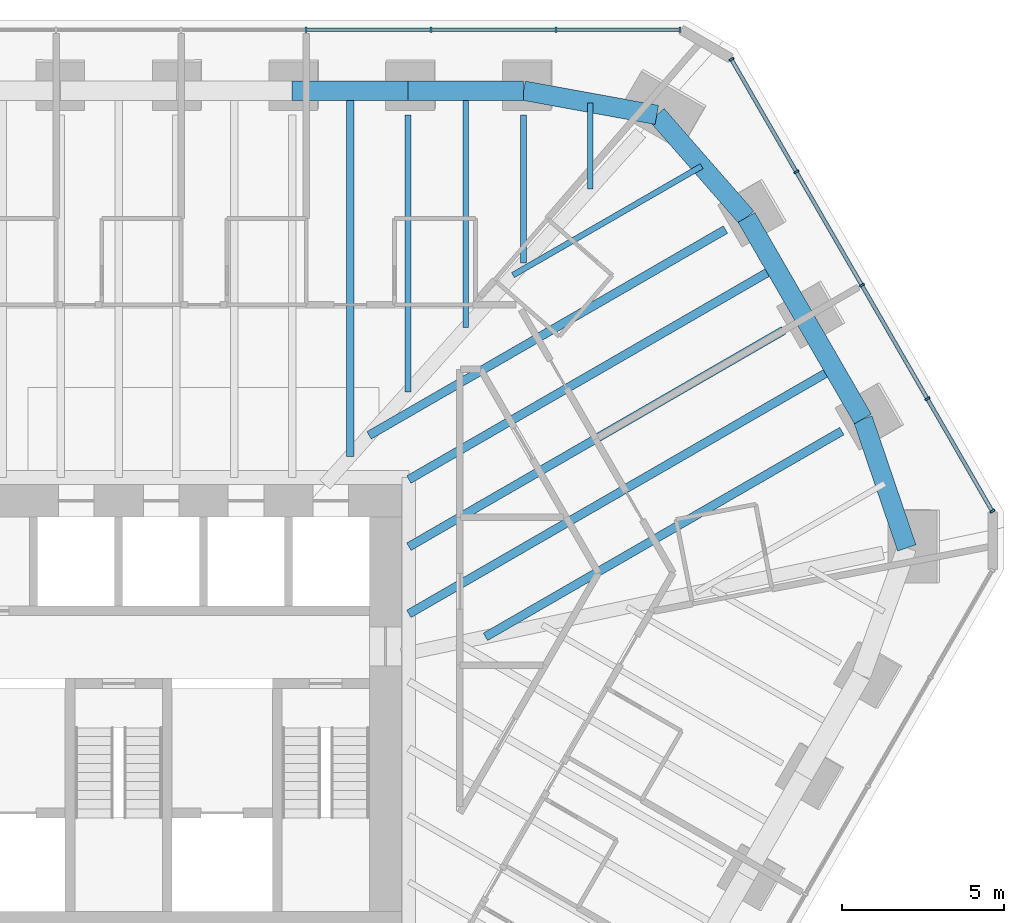
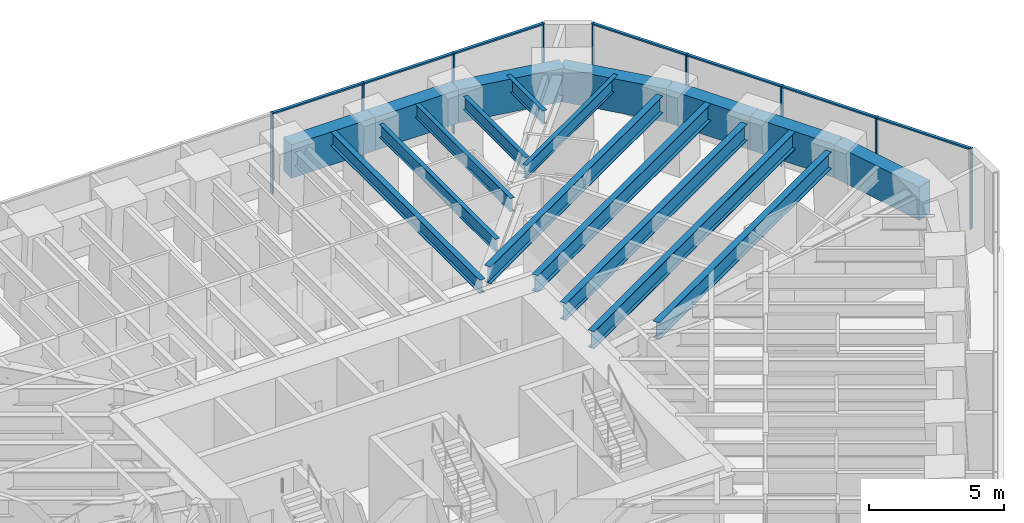
# One storey, part 9 of 17: 18 beams, 16 members, 2 elements without a shape of their own.
"""IFC4 building model written with IfcOpenShell, lengths in metres."""

from ifc_helpers import new_model, si_unit, direction, frame, origin, origin_2d, place, context, subcontext, project, spatial, rectangle, i_section, extrude, material, material_profile, profile_set, type_object, element, aggregate, save


model = new_model("IFC4")

# Units and contexts
model_context = context("Model", 3, precision=1e-05, world=origin(), true_north=direction((0.0, 1.0)))
body_context = subcontext(model_context, "Body", "Model", "MODEL_VIEW")
ifc_project = project(units=[si_unit("LENGTHUNIT", "METRE"), si_unit("AREAUNIT", "SQUARE_METRE"), si_unit("VOLUMEUNIT", "CUBIC_METRE"), si_unit("PLANEANGLEUNIT", "RADIAN"), si_unit("MASSUNIT", "GRAM", prefix="KILO")], contexts=[model_context])

# Site, building, storey
site_placement = place(None, origin())
site = spatial("IfcSite", under=ifc_project, at=site_placement, CompositionType="ELEMENT")
building_placement = place(site_placement, origin())
building = spatial("IfcBuilding", under=site, at=building_placement, Name="Sandreach Pilgrim Tower", CompositionType="ELEMENT")
storey_placement = place(building_placement, frame((0.0, 0.0, 240.199951171875)))
storey = spatial("IfcBuildingStorey", under=building, at=storey_placement, Name="L60", CompositionType="ELEMENT", Elevation=240.199951171875)

# Curtain wall, members
ifc_material_1 = material(Name="Aluminium framed curtain wall", Category="aluminium")
curtain_wall_type = type_object("IfcCurtainWallType", Name="Upper hotel tower curtain wall", PredefinedType="NOTDEFINED", material=ifc_material_1)
curtain_wall_1_placement = place(storey_placement, origin())
curtain_wall_1 = element("IfcCurtainWall", 1, at=curtain_wall_1_placement, inside=storey, type_object=curtain_wall_type, Name="CW-3 L60 N", PredefinedType="NOTDEFINED")
ifc_material_2 = material(Name="Aluminium extrusion", Category="aluminium")
ifc_material_profile_1 = material_profile(ifc_material_2, rectangle(XDim=0.06494140625, YDim=0.159912109375, at=origin_2d()), Name="CW-3M 65X160")
ifc_profile_set_1 = profile_set([ifc_material_profile_1], Name="Aluminium extrusion")
member_type_1 = type_object("IfcMemberType", Name="CW-3 mullion", PredefinedType="MULLION", material=ifc_profile_set_1)
member_1_placement = place(storey_placement, frame((5.796630859375, 21.16015625, 0.0), z_axis=(0.0, 0.0, 1.0), x_axis=(1.0, 0.0, 0.0)))
member_1 = element("IfcMember", 2, at=member_1_placement, type_object=member_type_1, Name="CW-3 mullion 7", PredefinedType="MULLION", context=body_context, shape_type="SweptSolid", body=[
    extrude(rectangle(XDim=0.06494140625, YDim=0.159912109375, at=origin_2d()), origin(), (0.0, 0.0, 1.0), 3.64013671875),
])
member_2_placement = place(storey_placement, frame((9.6611328125, 21.16015625, 0.0), z_axis=(0.0, 0.0, 1.0), x_axis=(1.0, 0.0, 0.0)))
member_2 = element("IfcMember", 3, at=member_2_placement, type_object=member_type_1, Name="CW-3 mullion 8", PredefinedType="MULLION", context=body_context, shape_type="SweptSolid", body=[
    extrude(rectangle(XDim=0.06494140625, YDim=0.159912109375, at=origin_2d()), origin(), (0.0, 0.0, 1.0), 3.64013671875),
])
member_3_placement = place(storey_placement, frame((13.525390625, 21.16015625, 0.0), z_axis=(0.0, 0.0, 1.0), x_axis=(1.0, 0.0, 0.0)))
member_3 = element("IfcMember", 4, at=member_3_placement, type_object=member_type_1, Name="CW-3 mullion 9", PredefinedType="MULLION", context=body_context, shape_type="SweptSolid", body=[
    extrude(rectangle(XDim=0.06494140625, YDim=0.159912109375, at=origin_2d()), origin(), (0.0, 0.0, 1.0), 3.64013671875),
])
member_4_placement = place(storey_placement, frame((17.357421875, 21.16015625, 0.0), z_axis=(0.0, 0.0, 1.0), x_axis=(1.0, 0.0, 0.0)))
member_4 = element("IfcMember", 5, at=member_4_placement, type_object=member_type_1, Name="CW-3 mullion 10", PredefinedType="MULLION", context=body_context, shape_type="SweptSolid", body=[
    extrude(rectangle(XDim=0.06494140625, YDim=0.159912109375, at=origin_2d()), origin(), (0.0, 0.0, 1.0), 3.64013671875),
])

curtain_wall_2_placement = place(storey_placement, origin())
curtain_wall_2 = element("IfcCurtainWall", 6, at=curtain_wall_2_placement, inside=storey, type_object=curtain_wall_type, Name="CW-3 L60 NE", PredefinedType="NOTDEFINED")
member_5_placement = place(storey_placement, frame((18.93896484375, 20.2470703125, 0.0), z_axis=(0.0, 0.0, 1.0), x_axis=(0.5, -0.866025403784, 0.0)))
member_5 = element("IfcMember", 7, at=member_5_placement, type_object=member_type_1, Name="CW-3 mullion 1", PredefinedType="MULLION", context=body_context, shape_type="SweptSolid", body=[
    extrude(rectangle(XDim=0.06494140625, YDim=0.159912109375, at=origin_2d()), origin(), (0.0, 0.0, 1.0), 3.64013671875),
])
member_6_placement = place(storey_placement, frame((20.947021484375, 16.768798828125, 0.0), z_axis=(0.0, 0.0, 1.0), x_axis=(0.5, -0.866025403784, 0.0)))
member_6 = element("IfcMember", 8, at=member_6_placement, type_object=member_type_1, Name="CW-3 mullion 2", PredefinedType="MULLION", context=body_context, shape_type="SweptSolid", body=[
    extrude(rectangle(XDim=0.06494140625, YDim=0.159912109375, at=origin_2d()), origin(), (0.0, 0.0, 1.0), 3.64013671875),
])
member_7_placement = place(storey_placement, frame((22.971435546875, 13.262451171875, 0.0), z_axis=(0.0, 0.0, 1.0), x_axis=(0.5, -0.866025403784, 0.0)))
member_7 = element("IfcMember", 9, at=member_7_placement, type_object=member_type_1, Name="CW-3 mullion 3", PredefinedType="MULLION", context=body_context, shape_type="SweptSolid", body=[
    extrude(rectangle(XDim=0.06494140625, YDim=0.159912109375, at=origin_2d()), origin(), (0.0, 0.0, 1.0), 3.64013671875),
])
member_8_placement = place(storey_placement, frame((24.995849609375, 9.75634765625, 0.0), z_axis=(0.0, 0.0, 1.0), x_axis=(0.5, -0.866025403784, 0.0)))
member_8 = element("IfcMember", 10, at=member_8_placement, type_object=member_type_1, Name="CW-3 mullion 4", PredefinedType="MULLION", context=body_context, shape_type="SweptSolid", body=[
    extrude(rectangle(XDim=0.06494140625, YDim=0.159912109375, at=origin_2d()), origin(), (0.0, 0.0, 1.0), 3.64013671875),
])
member_9_placement = place(storey_placement, frame((27.00390625, 6.278076171875, 0.0), z_axis=(0.0, 0.0, 1.0), x_axis=(0.5, -0.866025403784, 0.0)))
member_9 = element("IfcMember", 11, at=member_9_placement, type_object=member_type_1, Name="CW-3 mullion 5", PredefinedType="MULLION", context=body_context, shape_type="SweptSolid", body=[
    extrude(rectangle(XDim=0.06494140625, YDim=0.159912109375, at=origin_2d()), origin(), (0.0, 0.0, 1.0), 3.64013671875),
])

# Member
ifc_material_3 = material(Name="Aluminium extrusion", Category="aluminium")
ifc_material_profile_2 = material_profile(ifc_material_3, rectangle(XDim=0.1201171875, YDim=0.070068359375, at=origin_2d()), Name="CW-3T 120X70")
ifc_profile_set_2 = profile_set([ifc_material_profile_2], Name="Aluminium extrusion")
member_type_2 = type_object("IfcMemberType", Name="CW-3 transom", PredefinedType="USERDEFINED", material=ifc_profile_set_2)
member_10_placement = place(storey_placement, frame((5.8291015625, 21.16015625, 3.60498046875), z_axis=(1.0, 0.0, 0.0), x_axis=(0.0, 1.0, 0.0)))
member_10 = element("IfcMember", 12, at=member_10_placement, type_object=member_type_2, Name="CW-3 head transom 7", ObjectType="TRANSOM", PredefinedType="USERDEFINED", context=body_context, shape_type="SweptSolid", body=[
    extrude(rectangle(XDim=0.1201171875, YDim=0.070068359375, at=origin_2d()), origin(), (0.0, 0.0, 1.0), 3.799560546875),
])

member_11_placement = place(storey_placement, frame((9.693603515625, 21.16015625, 3.60498046875), z_axis=(1.0, 0.0, 0.0), x_axis=(0.0, 1.0, 0.0)))
member_11 = element("IfcMember", 13, at=member_11_placement, type_object=member_type_2, Name="CW-3 head transom 8", ObjectType="TRANSOM", PredefinedType="USERDEFINED", context=body_context, shape_type="SweptSolid", body=[
    extrude(rectangle(XDim=0.1201171875, YDim=0.070068359375, at=origin_2d()), origin(), (0.0, 0.0, 1.0), 3.79931640625),
])

member_12_placement = place(storey_placement, frame((13.557861328125, 21.16015625, 3.60498046875), z_axis=(1.0, 0.0, 0.0), x_axis=(0.0, 1.0, 0.0)))
member_12 = element("IfcMember", 14, at=member_12_placement, type_object=member_type_2, Name="CW-3 head transom 9", ObjectType="TRANSOM", PredefinedType="USERDEFINED", context=body_context, shape_type="SweptSolid", body=[
    extrude(rectangle(XDim=0.1201171875, YDim=0.070068359375, at=origin_2d()), origin(), (0.0, 0.0, 1.0), 3.76708984375),
])

aggregate(curtain_wall_1, [member_1, member_2, member_3, member_4, member_10, member_11, member_12])

member_13_placement = place(storey_placement, frame((18.955322265625, 20.21875, 3.60498046875), z_axis=(0.499993448556, -0.866029186229, 0.0), x_axis=(0.866029186229, 0.499993448556, 0.0)))
member_13 = element("IfcMember", 15, at=member_13_placement, type_object=member_type_2, Name="CW-3 head transom 1", ObjectType="TRANSOM", PredefinedType="USERDEFINED", context=body_context, shape_type="SweptSolid", body=[
    extrude(rectangle(XDim=0.1201171875, YDim=0.070068359375, at=origin_2d()), origin(), (0.0, 0.0, 1.0), 3.951171875),
])

member_14_placement = place(storey_placement, frame((20.96337890625, 16.74072265625, 3.60498046875), z_axis=(0.499975332564, -0.866039645067, 0.0), x_axis=(0.866039645067, 0.499975332564, 0.0)))
member_14 = element("IfcMember", 16, at=member_14_placement, type_object=member_type_2, Name="CW-3 head transom 2", ObjectType="TRANSOM", PredefinedType="USERDEFINED", context=body_context, shape_type="SweptSolid", body=[
    extrude(rectangle(XDim=0.1201171875, YDim=0.070068359375, at=origin_2d()), origin(), (0.0, 0.0, 1.0), 3.983642578125),
])

member_15_placement = place(storey_placement, frame((22.98779296875, 13.234375, 3.60498046875), z_axis=(0.499975332564, -0.866039645067, 0.0), x_axis=(0.866039645067, 0.499975332564, 0.0)))
member_15 = element("IfcMember", 17, at=member_15_placement, type_object=member_type_2, Name="CW-3 head transom 3", ObjectType="TRANSOM", PredefinedType="USERDEFINED", context=body_context, shape_type="SweptSolid", body=[
    extrude(rectangle(XDim=0.1201171875, YDim=0.070068359375, at=origin_2d()), origin(), (0.0, 0.0, 1.0), 3.983642578125),
])

member_16_placement = place(storey_placement, frame((25.011962890625, 9.728271484375, 3.60498046875), z_axis=(0.499993448556, -0.866029186229, 0.0), x_axis=(0.866029186229, 0.499993448556, 0.0)))
member_16 = element("IfcMember", 18, at=member_16_placement, type_object=member_type_2, Name="CW-3 head transom 4", ObjectType="TRANSOM", PredefinedType="USERDEFINED", context=body_context, shape_type="SweptSolid", body=[
    extrude(rectangle(XDim=0.1201171875, YDim=0.070068359375, at=origin_2d()), origin(), (0.0, 0.0, 1.0), 3.951171875),
])

aggregate(curtain_wall_2, [member_5, member_6, member_7, member_8, member_9, member_13, member_14, member_15, member_16])

# Beams
ifc_material_4 = material(Name="Steel ASTM A992 Grade 50", Category="steel")
ifc_material_profile_3 = material_profile(ifc_material_4, i_section(OverallWidth=0.1787109375, OverallDepth=0.60205078125, WebThickness=0.010986328125, FlangeThickness=0.014892578125, at=origin_2d()), Name="W24X62")
ifc_profile_set_3 = profile_set([ifc_material_profile_3], Name="Steel ASTM A992 Grade 50")
beam_type_1 = type_object("IfcBeamType", Name="Floor beam W24X62", PredefinedType="BEAM", material=ifc_profile_set_3)
beam_1_placement = place(storey_placement, frame((8.942138671875, 18.527099609375, 3.339111328125), z_axis=(0.0, -1.0, 0.0), x_axis=(1.0, 0.0, 0.0)))
element("IfcBeam", 19, at=beam_1_placement, inside=storey, type_object=beam_type_1, Name="BM L60 F07", PredefinedType="BEAM", context=body_context, shape_type="SweptSolid", body=[
    extrude(i_section(OverallWidth=0.1787109375, OverallDepth=0.60205078125, WebThickness=0.010986328125, FlangeThickness=0.014892578125, at=origin_2d()), origin(), (0.0, 0.0, 1.0), 8.568603515625),
])
beam_2_placement = place(storey_placement, frame((12.51904296875, 18.527099609375, 3.339111328125), z_axis=(0.0, -1.0, 0.0), x_axis=(1.0, 0.0, 0.0)))
element("IfcBeam", 20, at=beam_2_placement, inside=storey, type_object=beam_type_1, Name="BM L60 F08", PredefinedType="BEAM", context=body_context, shape_type="SweptSolid", body=[
    extrude(i_section(OverallWidth=0.1787109375, OverallDepth=0.60205078125, WebThickness=0.010986328125, FlangeThickness=0.014892578125, at=origin_2d()), origin(), (0.0, 0.0, 1.0), 4.585205078125),
])
beam_3_placement = place(storey_placement, frame((10.730712890625, 19.277099609375, 3.339111328125), z_axis=(0.0, -1.0, 0.0), x_axis=(1.0, 0.0, 0.0)))
element("IfcBeam", 21, at=beam_3_placement, inside=storey, type_object=beam_type_1, Name="BM L60 FM07", PredefinedType="BEAM", context=body_context, shape_type="SweptSolid", body=[
    extrude(i_section(OverallWidth=0.1787109375, OverallDepth=0.60205078125, WebThickness=0.010986328125, FlangeThickness=0.014892578125, at=origin_2d()), origin(), (0.0, 0.0, 1.0), 7.326904296875),
])
beam_4_placement = place(storey_placement, frame((14.5771484375, 18.901611328125, 3.339111328125), z_axis=(0.0, -1.0, 0.0), x_axis=(1.0, 0.0, 0.0)))
element("IfcBeam", 22, at=beam_4_placement, inside=storey, type_object=beam_type_1, Name="BM L60 FM08", PredefinedType="BEAM", context=body_context, shape_type="SweptSolid", body=[
    extrude(i_section(OverallWidth=0.1787109375, OverallDepth=0.60205078125, WebThickness=0.010986328125, FlangeThickness=0.014892578125, at=origin_2d()), origin(), (0.0, 0.0, 1.0), 2.66748046875),
])
beam_5_placement = place(storey_placement, frame((18.021484375, 16.94189453125, 3.339111328125), z_axis=(-0.866008104495, -0.500029962051, 0.0), x_axis=(0.500029962051, -0.866008104495, 0.0)))
element("IfcBeam", 23, at=beam_5_placement, inside=storey, type_object=beam_type_1, Name="BM L60 FM09", PredefinedType="BEAM", context=body_context, shape_type="SweptSolid", body=[
    extrude(i_section(OverallWidth=0.1787109375, OverallDepth=0.60205078125, WebThickness=0.010986328125, FlangeThickness=0.014892578125, at=origin_2d()), origin(), (0.0, 0.0, 1.0), 6.73486328125),
])
ifc_material_5 = material(Name="Steel ASTM A992 Grade 50", Category="steel")
ifc_material_profile_4 = material_profile(ifc_material_5, i_section(OverallWidth=0.23046875, OverallDepth=0.6171875, WebThickness=0.01318359375, FlangeThickness=0.022216796875, at=origin_2d()), Name="W24X94")
ifc_profile_set_4 = profile_set([ifc_material_profile_4], Name="Steel ASTM A992 Grade 50")
beam_type_2 = type_object("IfcBeamType", Name="Floor beam W24X94", PredefinedType="BEAM", material=ifc_profile_set_4)
beam_6_placement = place(storey_placement, frame((7.15380859375, 19.277099609375, 3.33154296875), z_axis=(0.0, -1.0, 0.0), x_axis=(1.0, 0.0, 0.0)))
element("IfcBeam", 24, at=beam_6_placement, inside=storey, type_object=beam_type_2, Name="BM L60 FM06", PredefinedType="BEAM", context=body_context, shape_type="SweptSolid", body=[
    extrude(i_section(OverallWidth=0.23046875, OverallDepth=0.6171875, WebThickness=0.01318359375, FlangeThickness=0.022216796875, at=origin_2d()), origin(), (0.0, 0.0, 1.0), 11.310302734375),
])
ifc_material_6 = material(Name="Steel ASTM A992 Grade 50", Category="steel")
ifc_material_profile_5 = material_profile(ifc_material_6, i_section(OverallWidth=0.2666015625, OverallDepth=0.761962890625, WebThickness=0.014404296875, FlangeThickness=0.021484375, at=origin_2d()), Name="W30X116")
ifc_profile_set_5 = profile_set([ifc_material_profile_5], Name="Steel ASTM A992 Grade 50")
beam_type_3 = type_object("IfcBeamType", Name="Floor beam W30X116", PredefinedType="BEAM", material=ifc_profile_set_5)
beam_7_placement = place(storey_placement, frame((18.75830078125, 14.982421875, 3.259033203125), z_axis=(-0.866022258038, -0.500005448553, 0.0), x_axis=(0.500005448553, -0.866022258038, 0.0)))
element("IfcBeam", 25, at=beam_7_placement, inside=storey, type_object=beam_type_3, Name="BM L60 F10", PredefinedType="BEAM", context=body_context, shape_type="SweptSolid", body=[
    extrude(i_section(OverallWidth=0.2666015625, OverallDepth=0.761962890625, WebThickness=0.014404296875, FlangeThickness=0.021484375, at=origin_2d()), origin(), (0.0, 0.0, 1.0), 12.719970703125),
])
beam_8_placement = place(storey_placement, frame((20.55615234375, 11.8681640625, 3.259033203125), z_axis=(-0.866018413782, -0.500012106844, 0.0), x_axis=(0.500012106844, -0.866018413782, 0.0)))
element("IfcBeam", 26, at=beam_8_placement, inside=storey, type_object=beam_type_3, Name="BM L60 F11", PredefinedType="BEAM", context=body_context, shape_type="SweptSolid", body=[
    extrude(i_section(OverallWidth=0.2666015625, OverallDepth=0.761962890625, WebThickness=0.014404296875, FlangeThickness=0.021484375, at=origin_2d()), origin(), (0.0, 0.0, 1.0), 13.376220703125),
])
beam_9_placement = place(storey_placement, frame((22.354248046875, 8.75390625, 3.259033203125), z_axis=(-0.866022258038, -0.500005448553, 0.0), x_axis=(0.500005448553, -0.866022258038, 0.0)))
element("IfcBeam", 27, at=beam_9_placement, inside=storey, type_object=beam_type_3, Name="BM L60 F12", PredefinedType="BEAM", context=body_context, shape_type="SweptSolid", body=[
    extrude(i_section(OverallWidth=0.2666015625, OverallDepth=0.761962890625, WebThickness=0.014404296875, FlangeThickness=0.021484375, at=origin_2d()), origin(), (0.0, 0.0, 1.0), 12.719970703125),
])
beam_10_placement = place(storey_placement, frame((20.306640625, 13.80029296875, 3.259033203125), z_axis=(-0.866017840081, -0.50001310049, 0.0), x_axis=(0.50001310049, -0.866017840081, 0.0)))
element("IfcBeam", 28, at=beam_10_placement, inside=storey, type_object=beam_type_3, Name="BM L60 FM10", PredefinedType="BEAM", context=body_context, shape_type="SweptSolid", body=[
    extrude(i_section(OverallWidth=0.2666015625, OverallDepth=0.761962890625, WebThickness=0.014404296875, FlangeThickness=0.021484375, at=origin_2d()), origin(), (0.0, 0.0, 1.0), 13.088134765625),
])
ifc_material_7 = material(Name="Steel ASTM A992 Grade 50", Category="steel")
ifc_material_profile_6 = material_profile(ifc_material_7, i_section(OverallWidth=0.2666015625, OverallDepth=0.77978515625, WebThickness=0.0166015625, FlangeThickness=0.030029296875, at=origin_2d()), Name="W30X148")
ifc_profile_set_6 = profile_set([ifc_material_profile_6], Name="Steel ASTM A992 Grade 50")
beam_type_4 = type_object("IfcBeamType", Name="Floor beam W30X148", PredefinedType="BEAM", material=ifc_profile_set_6)
beam_11_placement = place(storey_placement, frame((22.104736328125, 10.68603515625, 3.250244140625), z_axis=(-0.866020163556, -0.500009076232, 0.0), x_axis=(0.500009076232, -0.866020163556, 0.0)))
element("IfcBeam", 29, at=beam_11_placement, inside=storey, type_object=beam_type_4, Name="BM L60 FM11", PredefinedType="BEAM", context=body_context, shape_type="SweptSolid", body=[
    extrude(i_section(OverallWidth=0.2666015625, OverallDepth=0.77978515625, WebThickness=0.0166015625, FlangeThickness=0.030029296875, at=origin_2d()), origin(), (0.0, 0.0, 1.0), 15.164306640625),
])
ifc_material_8 = material(Name="Concrete 10000 psi", Category="concrete")
ifc_material_profile_7 = material_profile(ifc_material_8, rectangle(XDim=0.60009765625, YDim=1.5, at=origin_2d()), Name="RC600X1500")
ifc_profile_set_7 = profile_set([ifc_material_profile_7], Name="Concrete 10000 psi")
beam_type_5 = type_object("IfcBeamType", Name="Spandrel beam RC600X1500", PredefinedType="SPANDREL", material=ifc_profile_set_7)
for number, where, z_axis, x_axis, name in (
    (30, (5.365234375, 19.277099609375, 2.89013671875), (1.0, 0.0, 0.0), (0.0, 1.0, 0.0), "BM L60 SP06"),
    (31, (8.942138671875, 19.277099609375, 2.89013671875), (1.0, 0.0, 0.0), (0.0, 1.0, 0.0), "BM L60 SP07"),
):
    element("IfcBeam", number, at=place(storey_placement, frame(where, z_axis=z_axis, x_axis=x_axis)), inside=storey, type_object=beam_type_5, Name=name, PredefinedType="SPANDREL", context=body_context, shape_type="SweptSolid", body=[
        extrude(rectangle(XDim=0.60009765625, YDim=1.5, at=origin_2d()), origin(), (0.0, 0.0, 1.0), 3.576904296875),
    ])
beam_12_placement = place(storey_placement, frame((12.51904296875, 19.277099609375, 2.89013671875), z_axis=(0.983773613592, -0.17941426142, 0.0), x_axis=(0.17941426142, 0.983773613592, 0.0)))
element("IfcBeam", 32, at=beam_12_placement, inside=storey, type_object=beam_type_5, Name="BM L60 SP08", PredefinedType="SPANDREL", context=body_context, shape_type="SweptSolid", body=[
    extrude(rectangle(XDim=0.60009765625, YDim=1.5, at=origin_2d()), origin(), (0.0, 0.0, 1.0), 4.184326171875),
])
beam_13_placement = place(storey_placement, frame((16.635498046875, 18.5263671875, 2.89013671875), z_axis=(0.658422500943, -0.75264853036, 0.0), x_axis=(0.75264853036, 0.658422500943, 0.0)))
element("IfcBeam", 33, at=beam_13_placement, inside=storey, type_object=beam_type_5, Name="BM L60 SP09", PredefinedType="SPANDREL", context=body_context, shape_type="SweptSolid", body=[
    extrude(rectangle(XDim=0.60009765625, YDim=1.5, at=origin_2d()), origin(), (0.0, 0.0, 1.0), 4.21044921875),
])
beam_14_placement = place(storey_placement, frame((19.40771484375, 15.357421875, 2.89013671875), z_axis=(0.500016292001, -0.866015997389, 0.0), x_axis=(0.866015997389, 0.500016292001, 0.0)))
element("IfcBeam", 34, at=beam_14_placement, inside=storey, type_object=beam_type_5, Name="BM L60 SP10", PredefinedType="SPANDREL", context=body_context, shape_type="SweptSolid", body=[
    extrude(rectangle(XDim=0.60009765625, YDim=1.5, at=origin_2d()), origin(), (0.0, 0.0, 1.0), 3.59619140625),
])
beam_15_placement = place(storey_placement, frame((21.205810546875, 12.2431640625, 2.89013671875), z_axis=(0.499965372359, -0.866045395139, 0.0), x_axis=(0.866045395139, 0.499965372359, 0.0)))
element("IfcBeam", 35, at=beam_15_placement, inside=storey, type_object=beam_type_5, Name="BM L60 SP11", PredefinedType="SPANDREL", context=body_context, shape_type="SweptSolid", body=[
    extrude(rectangle(XDim=0.60009765625, YDim=1.5, at=origin_2d()), origin(), (0.0, 0.0, 1.0), 3.595947265625),
])
beam_16_placement = place(storey_placement, frame((23.003662109375, 9.12890625, 2.89013671875), z_axis=(0.322570030631, -0.946545601299, 0.0), x_axis=(0.946545601299, 0.322570030631, 0.0)))
element("IfcBeam", 36, at=beam_16_placement, inside=storey, type_object=beam_type_5, Name="BM L60 SP12", PredefinedType="SPANDREL", context=body_context, shape_type="SweptSolid", body=[
    extrude(rectangle(XDim=0.60009765625, YDim=1.5, at=origin_2d()), origin(), (0.0, 0.0, 1.0), 4.21044921875),
])

save(model, "model.ifc")
